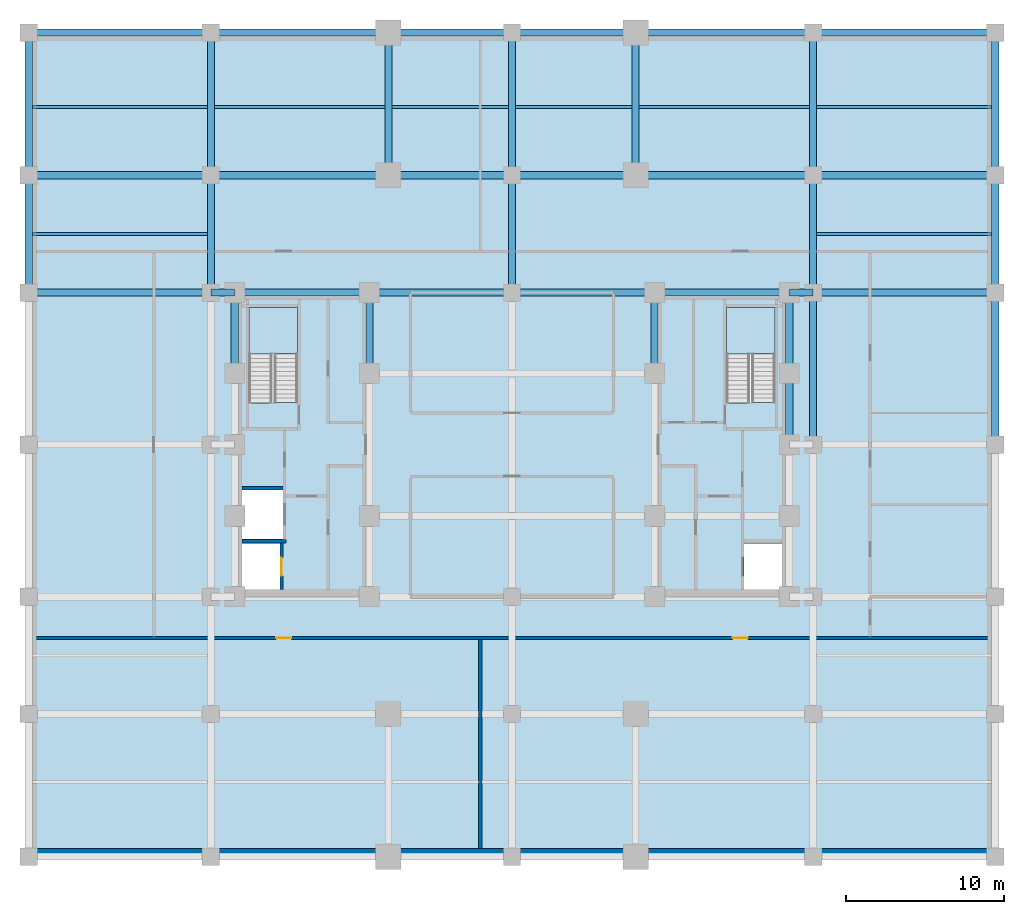
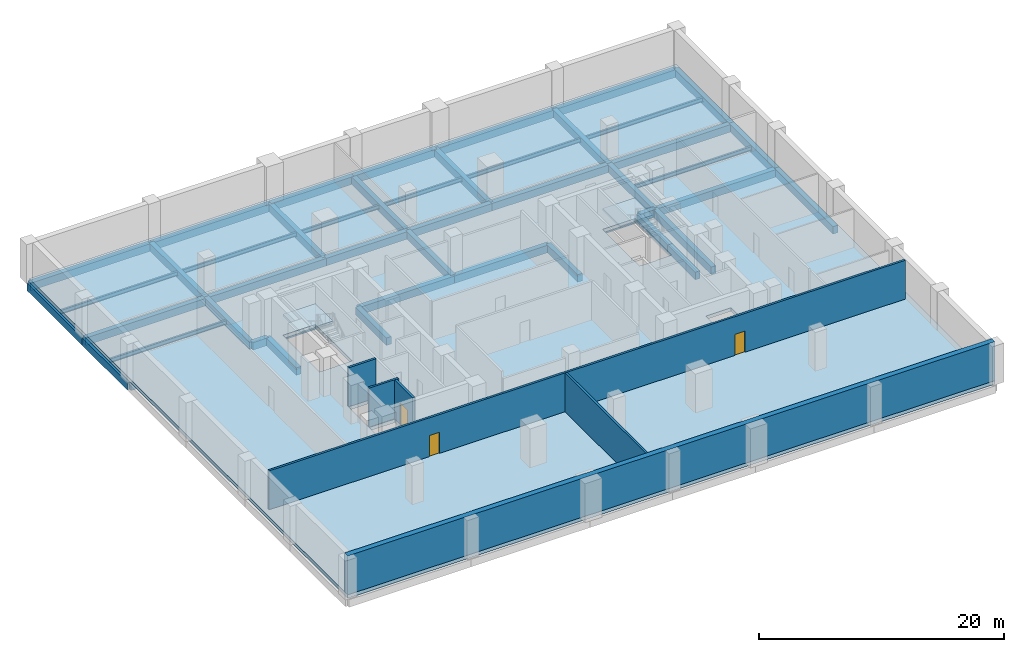
# One storey, part 2 of 6: 47 beams, 6 walls, 3 doors, 3 slabs, 3 openings, 2 elements without a shape of their own.
"""IFC4 building model written with IfcOpenShell, lengths in metres."""

from ifc_helpers import new_model, si_unit, direction, frame, frame_2d, origin, origin_2d, place, context, subcontext, project, spatial, polyline, rectangle, i_section, outline, extrude, source, transform, mapped, material, layer, layer_set, material_profile, profile_set, type_object, type_shapes, element, fill, aggregate, save


model = new_model("IFC4")

# Units and contexts
model_context = context("Model", 3, precision=1e-05, world=origin(), true_north=direction((0.0, 1.0)))
body_context = subcontext(model_context, "Body", "Model", "MODEL_VIEW")
ifc_project = project(units=[si_unit("LENGTHUNIT", "METRE"), si_unit("AREAUNIT", "SQUARE_METRE"), si_unit("VOLUMEUNIT", "CUBIC_METRE"), si_unit("PLANEANGLEUNIT", "RADIAN"), si_unit("MASSUNIT", "GRAM", prefix="KILO")], contexts=[model_context])

# Site, building, storey
site_placement = place(None, origin())
site = spatial("IfcSite", under=ifc_project, at=site_placement, CompositionType="ELEMENT")
building_placement = place(site_placement, origin())
building = spatial("IfcBuilding", under=site, at=building_placement, Name="Nuvemarco Arch Tower", CompositionType="ELEMENT")
storey_placement = place(building_placement, frame((0.0, 0.0, -4.199951171875)))
storey = spatial("IfcBuildingStorey", under=building, at=storey_placement, Name="B01", CompositionType="ELEMENT", Elevation=-4.199951171875)

# Beams
ifc_material_1 = material(Name="Concrete C50/60", Category="concrete")
ifc_material_profile_1 = material_profile(ifc_material_1, rectangle(XDim=0.449951171875, YDim=0.75, at=origin_2d()), Name="RC-BM-450x750")
ifc_profile_set_1 = profile_set([ifc_material_profile_1], Name="Concrete C50/60")
beam_type_1 = type_object("IfcBeamType", Name="BM-BASE-RC", PredefinedType="BEAM", material=ifc_profile_set_1)
beam_1_placement = place(storey_placement, frame((-30.5, 9.60009765625, -0.72509765625), z_axis=(0.0, 1.0, 0.0), x_axis=(-1.0, 0.0, 0.0)))
element("IfcBeam", 1, at=beam_1_placement, inside=storey, type_object=beam_type_1, Name="B01 structural beam BGNS_B01_0_-30.5_+9.6", PredefinedType="BEAM", context=body_context, shape_type="SweptSolid", body=[
    extrude(rectangle(XDim=0.449951171875, YDim=0.75, at=origin_2d()), origin(), (0.0, 0.0, 1.0), 7.39990234375),
])
beam_2_placement = place(storey_placement, frame((-30.5, 17.0, -0.72509765625), z_axis=(0.0, 1.0, 0.0), x_axis=(-1.0, 0.0, 0.0)))
element("IfcBeam", 2, at=beam_2_placement, inside=storey, type_object=beam_type_1, Name="B01 structural beam BGNS_B01_0_-30.5_+17.0", PredefinedType="BEAM", context=body_context, shape_type="SweptSolid", body=[
    extrude(rectangle(XDim=0.449951171875, YDim=0.75, at=origin_2d()), origin(), (0.0, 0.0, 1.0), 9.0),
])
beam_3_placement = place(storey_placement, frame((-19.0, 9.60009765625, -0.72509765625), z_axis=(0.0, 1.0, 0.0), x_axis=(-1.0, 0.0, 0.0)))
element("IfcBeam", 3, at=beam_3_placement, inside=storey, type_object=beam_type_1, Name="B01 structural beam BGNS_B01_0_-19.0_+9.6", PredefinedType="BEAM", context=body_context, shape_type="SweptSolid", body=[
    extrude(rectangle(XDim=0.449951171875, YDim=0.75, at=origin_2d()), origin(), (0.0, 0.0, 1.0), 7.39990234375),
])
beam_4_placement = place(storey_placement, frame((-19.0, 17.0, -0.72509765625), z_axis=(0.0, 1.0, 0.0), x_axis=(-1.0, 0.0, 0.0)))
element("IfcBeam", 4, at=beam_4_placement, inside=storey, type_object=beam_type_1, Name="B01 structural beam BGNS_B01_0_-19.0_+17.0", PredefinedType="BEAM", context=body_context, shape_type="SweptSolid", body=[
    extrude(rectangle(XDim=0.449951171875, YDim=0.75, at=origin_2d()), origin(), (0.0, 0.0, 1.0), 9.0),
])
for number, where, z_axis, x_axis, name in (
    (5, (-17.5, 4.5, -0.72509765625), (0.0, 1.0, 0.0), (-1.0, 0.0, 0.0), "B01 structural beam BGNS_B01_0_-17.5_+4.5"),
    (6, (-9.0, 4.5, -0.72509765625), (0.0, 1.0, 0.0), (-1.0, 0.0, 0.0), "B01 structural beam BGNS_B01_0_-9.0_+4.5"),
):
    element("IfcBeam", number, at=place(storey_placement, frame(where, z_axis=z_axis, x_axis=x_axis)), inside=storey, type_object=beam_type_1, Name=name, PredefinedType="BEAM", context=body_context, shape_type="SweptSolid", body=[
        extrude(rectangle(XDim=0.449951171875, YDim=0.75, at=origin_2d()), origin(), (0.0, 0.0, 1.0), 5.10009765625),
    ])
beam_5_placement = place(storey_placement, frame((-7.800048828125, 17.0, -0.72509765625), z_axis=(0.0, 1.0, 0.0), x_axis=(-1.0, 0.0, 0.0)))
element("IfcBeam", 7, at=beam_5_placement, inside=storey, type_object=beam_type_1, Name="B01 structural beam BGNS_B01_0_-7.8_+17.0", PredefinedType="BEAM", context=body_context, shape_type="SweptSolid", body=[
    extrude(rectangle(XDim=0.449951171875, YDim=0.75, at=origin_2d()), origin(), (0.0, 0.0, 1.0), 9.0),
])
beam_6_placement = place(storey_placement, frame((0.0, 9.60009765625, -0.72509765625), z_axis=(0.0, 1.0, 0.0), x_axis=(-1.0, 0.0, 0.0)))
element("IfcBeam", 8, at=beam_6_placement, inside=storey, type_object=beam_type_1, Name="B01 structural beam BGNS_B01_0_+0.0_+9.6", PredefinedType="BEAM", context=body_context, shape_type="SweptSolid", body=[
    extrude(rectangle(XDim=0.449951171875, YDim=0.75, at=origin_2d()), origin(), (0.0, 0.0, 1.0), 7.39990234375),
])
for number, where, z_axis, x_axis, name in (
    (9, (0.0, 17.0, -0.72509765625), (0.0, 1.0, 0.0), (-1.0, 0.0, 0.0), "B01 structural beam BGNS_B01_0_+0.0_+17.0"),
    (10, (7.800048828125, 17.0, -0.72509765625), (0.0, 1.0, 0.0), (-1.0, 0.0, 0.0), "B01 structural beam BGNS_B01_0_+7.8_+17.0"),
):
    element("IfcBeam", number, at=place(storey_placement, frame(where, z_axis=z_axis, x_axis=x_axis)), inside=storey, type_object=beam_type_1, Name=name, PredefinedType="BEAM", context=body_context, shape_type="SweptSolid", body=[
        extrude(rectangle(XDim=0.449951171875, YDim=0.75, at=origin_2d()), origin(), (0.0, 0.0, 1.0), 9.0),
    ])
beam_7_placement = place(storey_placement, frame((9.0, 4.5, -0.72509765625), z_axis=(0.0, 1.0, 0.0), x_axis=(-1.0, 0.0, 0.0)))
element("IfcBeam", 11, at=beam_7_placement, inside=storey, type_object=beam_type_1, Name="B01 structural beam BGNS_B01_0_+9.0_+4.5", PredefinedType="BEAM", context=body_context, shape_type="SweptSolid", body=[
    extrude(rectangle(XDim=0.449951171875, YDim=0.75, at=origin_2d()), origin(), (0.0, 0.0, 1.0), 5.10009765625),
])
beam_8_placement = place(storey_placement, frame((17.5, 0.0, -0.72509765625), z_axis=(0.0, 1.0, 0.0), x_axis=(-1.0, 0.0, 0.0)))
element("IfcBeam", 12, at=beam_8_placement, inside=storey, type_object=beam_type_1, Name="B01 structural beam BGNS_B01_0_+17.5_+0.0", PredefinedType="BEAM", context=body_context, shape_type="SweptSolid", body=[
    extrude(rectangle(XDim=0.449951171875, YDim=0.75, at=origin_2d()), origin(), (0.0, 0.0, 1.0), 4.5),
])
beam_9_placement = place(storey_placement, frame((17.5, 4.5, -0.72509765625), z_axis=(0.0, 1.0, 0.0), x_axis=(-1.0, 0.0, 0.0)))
element("IfcBeam", 13, at=beam_9_placement, inside=storey, type_object=beam_type_1, Name="B01 structural beam BGNS_B01_0_+17.5_+4.5", PredefinedType="BEAM", context=body_context, shape_type="SweptSolid", body=[
    extrude(rectangle(XDim=0.449951171875, YDim=0.75, at=origin_2d()), origin(), (0.0, 0.0, 1.0), 5.10009765625),
])
beam_10_placement = place(storey_placement, frame((19.0, 0.0, -0.72509765625), z_axis=(0.0, 1.0, 0.0), x_axis=(-1.0, 0.0, 0.0)))
element("IfcBeam", 14, at=beam_10_placement, inside=storey, type_object=beam_type_1, Name="B01 structural beam BGNS_B01_0_+19.0_+0.0", PredefinedType="BEAM", context=body_context, shape_type="SweptSolid", body=[
    extrude(rectangle(XDim=0.449951171875, YDim=0.75, at=origin_2d()), origin(), (0.0, 0.0, 1.0), 9.60009765625),
])
beam_11_placement = place(storey_placement, frame((19.0, 9.60009765625, -0.72509765625), z_axis=(0.0, 1.0, 0.0), x_axis=(-1.0, 0.0, 0.0)))
element("IfcBeam", 15, at=beam_11_placement, inside=storey, type_object=beam_type_1, Name="B01 structural beam BGNS_B01_0_+19.0_+9.6", PredefinedType="BEAM", context=body_context, shape_type="SweptSolid", body=[
    extrude(rectangle(XDim=0.449951171875, YDim=0.75, at=origin_2d()), origin(), (0.0, 0.0, 1.0), 7.39990234375),
])
beam_12_placement = place(storey_placement, frame((19.0, 17.0, -0.72509765625), z_axis=(0.0, 1.0, 0.0), x_axis=(-1.0, 0.0, 0.0)))
element("IfcBeam", 16, at=beam_12_placement, inside=storey, type_object=beam_type_1, Name="B01 structural beam BGNS_B01_0_+19.0_+17.0", PredefinedType="BEAM", context=body_context, shape_type="SweptSolid", body=[
    extrude(rectangle(XDim=0.449951171875, YDim=0.75, at=origin_2d()), origin(), (0.0, 0.0, 1.0), 9.0),
])
beam_13_placement = place(storey_placement, frame((30.5, 0.0, -0.72509765625), z_axis=(0.0, 1.0, 0.0), x_axis=(-1.0, 0.0, 0.0)))
element("IfcBeam", 17, at=beam_13_placement, inside=storey, type_object=beam_type_1, Name="B01 structural beam BGNS_B01_0_+30.5_+0.0", PredefinedType="BEAM", context=body_context, shape_type="SweptSolid", body=[
    extrude(rectangle(XDim=0.449951171875, YDim=0.75, at=origin_2d()), origin(), (0.0, 0.0, 1.0), 9.60009765625),
])
beam_14_placement = place(storey_placement, frame((30.5, 9.60009765625, -0.72509765625), z_axis=(0.0, 1.0, 0.0), x_axis=(-1.0, 0.0, 0.0)))
element("IfcBeam", 18, at=beam_14_placement, inside=storey, type_object=beam_type_1, Name="B01 structural beam BGNS_B01_0_+30.5_+9.6", PredefinedType="BEAM", context=body_context, shape_type="SweptSolid", body=[
    extrude(rectangle(XDim=0.449951171875, YDim=0.75, at=origin_2d()), origin(), (0.0, 0.0, 1.0), 7.39990234375),
])
beam_15_placement = place(storey_placement, frame((30.5, 17.0, -0.72509765625), z_axis=(0.0, 1.0, 0.0), x_axis=(-1.0, 0.0, 0.0)))
element("IfcBeam", 19, at=beam_15_placement, inside=storey, type_object=beam_type_1, Name="B01 structural beam BGNS_B01_0_+30.5_+17.0", PredefinedType="BEAM", context=body_context, shape_type="SweptSolid", body=[
    extrude(rectangle(XDim=0.449951171875, YDim=0.75, at=origin_2d()), origin(), (0.0, 0.0, 1.0), 9.0),
])
beam_16_placement = place(storey_placement, frame((-30.5, 9.60009765625, -0.72509765625), z_axis=(1.0, 0.0, 0.0), x_axis=(0.0, 1.0, 0.0)))
element("IfcBeam", 20, at=beam_16_placement, inside=storey, type_object=beam_type_1, Name="B01 structural beam BGEW_B01_0_+9.6_-30.5", PredefinedType="BEAM", context=body_context, shape_type="SweptSolid", body=[
    extrude(rectangle(XDim=0.449951171875, YDim=0.75, at=origin_2d()), origin(), (0.0, 0.0, 1.0), 11.5),
])
beam_17_placement = place(storey_placement, frame((-19.0, 9.60009765625, -0.72509765625), z_axis=(1.0, 0.0, 0.0), x_axis=(0.0, 1.0, 0.0)))
element("IfcBeam", 21, at=beam_17_placement, inside=storey, type_object=beam_type_1, Name="B01 structural beam BGEW_B01_0_+9.6_-19.0", PredefinedType="BEAM", context=body_context, shape_type="SweptSolid", body=[
    extrude(rectangle(XDim=0.449951171875, YDim=0.75, at=origin_2d()), origin(), (0.0, 0.0, 1.0), 1.5),
])
beam_18_placement = place(storey_placement, frame((-17.5, 9.60009765625, -0.72509765625), z_axis=(1.0, 0.0, 0.0), x_axis=(0.0, 1.0, 0.0)))
element("IfcBeam", 22, at=beam_18_placement, inside=storey, type_object=beam_type_1, Name="B01 structural beam BGEW_B01_0_+9.6_-17.5", PredefinedType="BEAM", context=body_context, shape_type="SweptSolid", body=[
    extrude(rectangle(XDim=0.449951171875, YDim=0.75, at=origin_2d()), origin(), (0.0, 0.0, 1.0), 8.5),
])
for number, where, z_axis, x_axis, name in (
    (23, (-9.0, 9.60009765625, -0.72509765625), (1.0, 0.0, 0.0), (0.0, 1.0, 0.0), "B01 structural beam BGEW_B01_0_+9.6_-9.0"),
    (24, (0.0, 9.60009765625, -0.72509765625), (1.0, 0.0, 0.0), (0.0, 1.0, 0.0), "B01 structural beam BGEW_B01_0_+9.6_+0.0"),
):
    element("IfcBeam", number, at=place(storey_placement, frame(where, z_axis=z_axis, x_axis=x_axis)), inside=storey, type_object=beam_type_1, Name=name, PredefinedType="BEAM", context=body_context, shape_type="SweptSolid", body=[
        extrude(rectangle(XDim=0.449951171875, YDim=0.75, at=origin_2d()), origin(), (0.0, 0.0, 1.0), 9.0),
    ])
beam_19_placement = place(storey_placement, frame((9.0, 9.60009765625, -0.72509765625), z_axis=(1.0, 0.0, 0.0), x_axis=(0.0, 1.0, 0.0)))
element("IfcBeam", 25, at=beam_19_placement, inside=storey, type_object=beam_type_1, Name="B01 structural beam BGEW_B01_0_+9.6_+9.0", PredefinedType="BEAM", context=body_context, shape_type="SweptSolid", body=[
    extrude(rectangle(XDim=0.449951171875, YDim=0.75, at=origin_2d()), origin(), (0.0, 0.0, 1.0), 8.5),
])
beam_20_placement = place(storey_placement, frame((17.5, 9.60009765625, -0.72509765625), z_axis=(1.0, 0.0, 0.0), x_axis=(0.0, 1.0, 0.0)))
element("IfcBeam", 26, at=beam_20_placement, inside=storey, type_object=beam_type_1, Name="B01 structural beam BGEW_B01_0_+9.6_+17.5", PredefinedType="BEAM", context=body_context, shape_type="SweptSolid", body=[
    extrude(rectangle(XDim=0.449951171875, YDim=0.75, at=origin_2d()), origin(), (0.0, 0.0, 1.0), 1.5),
])
for number, where, z_axis, x_axis, name in (
    (27, (19.0, 9.60009765625, -0.72509765625), (1.0, 0.0, 0.0), (0.0, 1.0, 0.0), "B01 structural beam BGEW_B01_0_+9.6_+19.0"),
    (28, (-30.5, 17.0, -0.72509765625), (1.0, 0.0, 0.0), (0.0, 1.0, 0.0), "B01 structural beam BGEW_B01_0_+17.0_-30.5"),
):
    element("IfcBeam", number, at=place(storey_placement, frame(where, z_axis=z_axis, x_axis=x_axis)), inside=storey, type_object=beam_type_1, Name=name, PredefinedType="BEAM", context=body_context, shape_type="SweptSolid", body=[
        extrude(rectangle(XDim=0.449951171875, YDim=0.75, at=origin_2d()), origin(), (0.0, 0.0, 1.0), 11.5),
    ])
beam_21_placement = place(storey_placement, frame((-19.0, 17.0, -0.72509765625), z_axis=(1.0, 0.0, 0.0), x_axis=(0.0, 1.0, 0.0)))
element("IfcBeam", 29, at=beam_21_placement, inside=storey, type_object=beam_type_1, Name="B01 structural beam BGEW_B01_0_+17.0_-19.0", PredefinedType="BEAM", context=body_context, shape_type="SweptSolid", body=[
    extrude(rectangle(XDim=0.449951171875, YDim=0.75, at=origin_2d()), origin(), (0.0, 0.0, 1.0), 11.199951171875),
])
for number, where, z_axis, x_axis, name in (
    (30, (-7.800048828125, 17.0, -0.72509765625), (1.0, 0.0, 0.0), (0.0, 1.0, 0.0), "B01 structural beam BGEW_B01_0_+17.0_-7.8"),
    (31, (0.0, 17.0, -0.72509765625), (1.0, 0.0, 0.0), (0.0, 1.0, 0.0), "B01 structural beam BGEW_B01_0_+17.0_+0.0"),
):
    element("IfcBeam", number, at=place(storey_placement, frame(where, z_axis=z_axis, x_axis=x_axis)), inside=storey, type_object=beam_type_1, Name=name, PredefinedType="BEAM", context=body_context, shape_type="SweptSolid", body=[
        extrude(rectangle(XDim=0.449951171875, YDim=0.75, at=origin_2d()), origin(), (0.0, 0.0, 1.0), 7.800048828125),
    ])
beam_22_placement = place(storey_placement, frame((7.800048828125, 17.0, -0.72509765625), z_axis=(1.0, 0.0, 0.0), x_axis=(0.0, 1.0, 0.0)))
element("IfcBeam", 32, at=beam_22_placement, inside=storey, type_object=beam_type_1, Name="B01 structural beam BGEW_B01_0_+17.0_+7.8", PredefinedType="BEAM", context=body_context, shape_type="SweptSolid", body=[
    extrude(rectangle(XDim=0.449951171875, YDim=0.75, at=origin_2d()), origin(), (0.0, 0.0, 1.0), 11.199951171875),
])
for number, where, z_axis, x_axis, name in (
    (33, (19.0, 17.0, -0.72509765625), (1.0, 0.0, 0.0), (0.0, 1.0, 0.0), "B01 structural beam BGEW_B01_0_+17.0_+19.0"),
    (34, (-30.5, 26.0, -0.72509765625), (1.0, 0.0, 0.0), (0.0, 1.0, 0.0), "B01 structural beam BGEW_B01_0_+26.0_-30.5"),
):
    element("IfcBeam", number, at=place(storey_placement, frame(where, z_axis=z_axis, x_axis=x_axis)), inside=storey, type_object=beam_type_1, Name=name, PredefinedType="BEAM", context=body_context, shape_type="SweptSolid", body=[
        extrude(rectangle(XDim=0.449951171875, YDim=0.75, at=origin_2d()), origin(), (0.0, 0.0, 1.0), 11.5),
    ])
beam_23_placement = place(storey_placement, frame((-19.0, 26.0, -0.72509765625), z_axis=(1.0, 0.0, 0.0), x_axis=(0.0, 1.0, 0.0)))
element("IfcBeam", 35, at=beam_23_placement, inside=storey, type_object=beam_type_1, Name="B01 structural beam BGEW_B01_0_+26.0_-19.0", PredefinedType="BEAM", context=body_context, shape_type="SweptSolid", body=[
    extrude(rectangle(XDim=0.449951171875, YDim=0.75, at=origin_2d()), origin(), (0.0, 0.0, 1.0), 11.199951171875),
])
for number, where, z_axis, x_axis, name in (
    (36, (-7.800048828125, 26.0, -0.72509765625), (1.0, 0.0, 0.0), (0.0, 1.0, 0.0), "B01 structural beam BGEW_B01_0_+26.0_-7.8"),
    (37, (0.0, 26.0, -0.72509765625), (1.0, 0.0, 0.0), (0.0, 1.0, 0.0), "B01 structural beam BGEW_B01_0_+26.0_+0.0"),
):
    element("IfcBeam", number, at=place(storey_placement, frame(where, z_axis=z_axis, x_axis=x_axis)), inside=storey, type_object=beam_type_1, Name=name, PredefinedType="BEAM", context=body_context, shape_type="SweptSolid", body=[
        extrude(rectangle(XDim=0.449951171875, YDim=0.75, at=origin_2d()), origin(), (0.0, 0.0, 1.0), 7.800048828125),
    ])
beam_24_placement = place(storey_placement, frame((7.800048828125, 26.0, -0.72509765625), z_axis=(1.0, 0.0, 0.0), x_axis=(0.0, 1.0, 0.0)))
element("IfcBeam", 38, at=beam_24_placement, inside=storey, type_object=beam_type_1, Name="B01 structural beam BGEW_B01_0_+26.0_+7.8", PredefinedType="BEAM", context=body_context, shape_type="SweptSolid", body=[
    extrude(rectangle(XDim=0.449951171875, YDim=0.75, at=origin_2d()), origin(), (0.0, 0.0, 1.0), 11.199951171875),
])
beam_25_placement = place(storey_placement, frame((19.0, 26.0, -0.72509765625), z_axis=(1.0, 0.0, 0.0), x_axis=(0.0, 1.0, 0.0)))
element("IfcBeam", 39, at=beam_25_placement, inside=storey, type_object=beam_type_1, Name="B01 structural beam BGEW_B01_0_+26.0_+19.0", PredefinedType="BEAM", context=body_context, shape_type="SweptSolid", body=[
    extrude(rectangle(XDim=0.449951171875, YDim=0.75, at=origin_2d()), origin(), (0.0, 0.0, 1.0), 11.5),
])
ifc_material_2 = material(Name="Steel S355", Category="steel")
ifc_material_profile_2 = material_profile(ifc_material_2, i_section(OverallWidth=0.179931640625, OverallDepth=0.4130859375, WebThickness=0.009765625, FlangeThickness=0.01611328125, FilletRadius=0.014892578125, at=origin_2d()), Name="W410x75")
ifc_profile_set_2 = profile_set([ifc_material_profile_2], Name="Steel S355")
beam_type_2 = type_object("IfcBeamType", Name="BM-JOIST-410", PredefinedType="JOIST", material=ifc_profile_set_2)
for number, where, z_axis, x_axis, name in (
    (40, (-30.27490234375, 13.300048828125, -0.556640625), (1.0, 0.0, 0.0), (0.0, 1.0, 0.0), "B01 structural beam BJ_B01_0_+13.3_-30.5"),
    (41, (19.22509765625, 13.300048828125, -0.556640625), (1.0, 0.0, 0.0), (0.0, 1.0, 0.0), "B01 structural beam BJ_B01_0_+13.3_+19.0"),
    (42, (-30.27490234375, 21.300048828125, -0.556640625), (1.0, 0.0, 0.0), (0.0, 1.0, 0.0), "B01 structural beam BJ_B01_0_+21.3_-30.5"),
):
    element("IfcBeam", number, at=place(storey_placement, frame(where, z_axis=z_axis, x_axis=x_axis)), inside=storey, type_object=beam_type_2, Name=name, PredefinedType="JOIST", context=body_context, shape_type="SweptSolid", body=[
        extrude(i_section(OverallWidth=0.179931640625, OverallDepth=0.4130859375, WebThickness=0.009765625, FlangeThickness=0.01611328125, FilletRadius=0.014892578125, at=origin_2d()), origin(), (0.0, 0.0, 1.0), 11.0498046875),
    ])
beam_26_placement = place(storey_placement, frame((-18.77490234375, 21.300048828125, -0.556640625), z_axis=(1.0, 0.0, 0.0), x_axis=(0.0, 1.0, 0.0)))
element("IfcBeam", 43, at=beam_26_placement, inside=storey, type_object=beam_type_2, Name="B01 structural beam BJ_B01_0_+21.3_-19.0", PredefinedType="JOIST", context=body_context, shape_type="SweptSolid", body=[
    extrude(i_section(OverallWidth=0.179931640625, OverallDepth=0.4130859375, WebThickness=0.009765625, FlangeThickness=0.01611328125, FilletRadius=0.014892578125, at=origin_2d()), origin(), (0.0, 0.0, 1.0), 10.75),
])
for number, where, z_axis, x_axis, name in (
    (44, (-7.574951171875, 21.300048828125, -0.556640625), (1.0, 0.0, 0.0), (0.0, 1.0, 0.0), "B01 structural beam BJ_B01_0_+21.3_-7.8"),
    (45, (0.22509765625, 21.300048828125, -0.556640625), (1.0, 0.0, 0.0), (0.0, 1.0, 0.0), "B01 structural beam BJ_B01_0_+21.3_+0.0"),
):
    element("IfcBeam", number, at=place(storey_placement, frame(where, z_axis=z_axis, x_axis=x_axis)), inside=storey, type_object=beam_type_2, Name=name, PredefinedType="JOIST", context=body_context, shape_type="SweptSolid", body=[
        extrude(i_section(OverallWidth=0.179931640625, OverallDepth=0.4130859375, WebThickness=0.009765625, FlangeThickness=0.01611328125, FilletRadius=0.014892578125, at=origin_2d()), origin(), (0.0, 0.0, 1.0), 7.349853515625),
    ])
beam_27_placement = place(storey_placement, frame((8.02490234375, 21.300048828125, -0.556640625), z_axis=(1.0, 0.0, 0.0), x_axis=(0.0, 1.0, 0.0)))
element("IfcBeam", 46, at=beam_27_placement, inside=storey, type_object=beam_type_2, Name="B01 structural beam BJ_B01_0_+21.3_+7.8", PredefinedType="JOIST", context=body_context, shape_type="SweptSolid", body=[
    extrude(i_section(OverallWidth=0.179931640625, OverallDepth=0.4130859375, WebThickness=0.009765625, FlangeThickness=0.01611328125, FilletRadius=0.014892578125, at=origin_2d()), origin(), (0.0, 0.0, 1.0), 10.75),
])
beam_28_placement = place(storey_placement, frame((19.22509765625, 21.300048828125, -0.556640625), z_axis=(1.0, 0.0, 0.0), x_axis=(0.0, 1.0, 0.0)))
element("IfcBeam", 47, at=beam_28_placement, inside=storey, type_object=beam_type_2, Name="B01 structural beam BJ_B01_0_+21.3_+19.0", PredefinedType="JOIST", context=body_context, shape_type="SweptSolid", body=[
    extrude(i_section(OverallWidth=0.179931640625, OverallDepth=0.4130859375, WebThickness=0.009765625, FlangeThickness=0.01611328125, FilletRadius=0.014892578125, at=origin_2d()), origin(), (0.0, 0.0, 1.0), 11.0498046875),
])

# Slab
ifc_layer_1 = layer(ifc_material_1, 0.35009765625, Name="SL-FLR-350")
ifc_layer_set_1 = layer_set([ifc_layer_1], Name="Concrete C50/60")
slab_type_1 = type_object("IfcSlabType", Name="SL-FLR-350", PredefinedType="FLOOR", material=ifc_layer_set_1)
slab_1_placement = place(storey_placement, frame((0.0, 0.0, -0.35009765625)))
element("IfcSlab", 48, at=slab_1_placement, inside=storey, type_object=slab_type_1, Name="B01 structural floor slab", PredefinedType="FLOOR", context=body_context, shape_type="SweptSolid", body=[
    extrude(outline(polyline([(-30.5, -26.0), (30.5, -26.0), (30.5, 26.0), (-30.5, 26.0), (-30.5, -26.0)]), holes=[polyline([(-13.5400390625, 2.669921875), (-13.5400390625, 8.64990234375), (-16.60009765625, 8.64990234375), (-16.60009765625, 2.630615234375), (-15.070068359375, 2.630615234375), (-15.070068359375, 2.669921875), (-13.5400390625, 2.669921875)]), polyline([(16.60009765625, 2.669921875), (16.60009765625, 8.64990234375), (13.5400390625, 8.64990234375), (13.5400390625, 2.630615234375), (15.070068359375, 2.630615234375), (15.070068359375, 2.669921875), (16.60009765625, 2.669921875)]), polyline([(-17.050048828125, -9.14990234375), (-14.64990234375, -9.14990234375), (-14.64990234375, -6.25), (-17.050048828125, -6.25), (-17.050048828125, -9.14990234375)]), polyline([(-17.050048828125, -5.949951171875), (-14.449951171875, -5.949951171875), (-14.449951171875, -2.85009765625), (-17.050048828125, -2.85009765625), (-17.050048828125, -5.949951171875)]), polyline([(14.64990234375, -9.14990234375), (17.050048828125, -9.14990234375), (17.050048828125, -6.25), (14.64990234375, -6.25), (14.64990234375, -9.14990234375)])]), origin(), (0.0, 0.0, 1.0), 0.35009765625),
])

# Stair, slab
ifc_material_3 = material(Name="Precast concrete C45/55", Category="concrete")
stair_type = type_object("IfcStairType", Name="ST-CORE-24R", PredefinedType="HALF_TURN_STAIR", material=ifc_material_3)
stair_1_placement = place(storey_placement, origin())
stair_1 = element("IfcStair", 49, at=stair_1_placement, inside=storey, type_object=stair_type, Name="B01 Protected Exit Stair ST-1", PredefinedType="HALF_TURN_STAIR")
ifc_layer_2 = layer(ifc_material_3, 0.199951171875, Name="SL-LANDING-200")
ifc_layer_set_2 = layer_set([ifc_layer_2], Name="Precast concrete C45/55")
slab_type_2 = type_object("IfcSlabType", Name="SL-LANDING-200", PredefinedType="LANDING", material=ifc_layer_set_2)
slab_2_placement = place(storey_placement, frame((0.0, 0.0, 1.89990234375)))
slab_2 = element("IfcSlab", 50, at=slab_2_placement, type_object=slab_type_2, Name="ST-24R landing 1", PredefinedType="LANDING", context=body_context, shape_type="SweptSolid", body=[
    extrude(outline(polyline([(-13.5400390625, 5.74951171875), (-13.5400390625, 8.64990234375), (-16.60009765625, 8.64990234375), (-16.60009765625, 5.72998046875), (-15.070068359375, 5.72998046875), (-15.070068359375, 5.74951171875), (-13.5400390625, 5.74951171875)])), origin(), (0.0, 0.0, 1.0), 0.199951171875),
])
aggregate(stair_1, [slab_2])

stair_2_placement = place(storey_placement, origin())
stair_2 = element("IfcStair", 51, at=stair_2_placement, inside=storey, type_object=stair_type, Name="B01 Protected Exit Stair ST-2", PredefinedType="HALF_TURN_STAIR")
slab_3_placement = place(storey_placement, frame((0.0, 0.0, 1.89990234375)))
slab_3 = element("IfcSlab", 52, at=slab_3_placement, type_object=slab_type_2, Name="ST-24R landing 1", PredefinedType="LANDING", context=body_context, shape_type="SweptSolid", body=[
    extrude(outline(polyline([(16.60009765625, 5.74951171875), (16.60009765625, 8.64990234375), (13.5400390625, 8.64990234375), (13.5400390625, 5.72998046875), (15.070068359375, 5.72998046875), (15.070068359375, 5.74951171875), (16.60009765625, 5.74951171875)])), origin(), (0.0, 0.0, 1.0), 0.199951171875),
])
aggregate(stair_2, [slab_3])

# Wall, openings, doors
ifc_layer_3 = layer(ifc_material_3, 0.199951171875, Name="WL-PLANT-200")
ifc_layer_set_3 = layer_set([ifc_layer_3], Name="Precast concrete C45/55")
wall_type_1 = type_object("IfcWallType", Name="WL-PLANT-200", PredefinedType="STANDARD", material=ifc_layer_set_3)
wall_1_placement = place(storey_placement, frame((-30.0, -12.199951171875, 0.0), z_axis=(0.0, 0.0, 1.0), x_axis=(1.0, 0.0, 0.0)))
wall_1 = element("IfcWall", 53, at=wall_1_placement, inside=storey, type_object=wall_type_1, Name="B01 interior wall IW-B01-001", PredefinedType="STANDARD", context=body_context, shape_type="SweptSolid", body=[
    extrude(rectangle(XDim=60.0, YDim=0.199951171875, at=frame_2d((30.0, 0.0))), origin(), (0.0, 0.0, 1.0), 3.869873046875),
])
opening_1_placement = place(wall_1_placement, frame((15.1201171875, 0.0, 0.0)))
opening_1 = element("IfcOpeningElement", 54, at=opening_1_placement, cuts=wall_1, Name="Opening FD-5", PredefinedType="OPENING", context=body_context, shape_type="SweptSolid", body=[
    extrude(rectangle(XDim=0.9599609375, YDim=2.10009765625, at=frame_2d((0.47998046875, 1.050048828125))), frame((0.0, 0.10986328125, 0.0), z_axis=(0.0, -1.0, 0.0), x_axis=(1.0, 0.0, 0.0)), (0.0, 0.0, 1.0), 0.219970703125),
])
opening_2_placement = place(wall_1_placement, frame((43.919921875, 0.0, 0.0)))
opening_2 = element("IfcOpeningElement", 55, at=opening_2_placement, cuts=wall_1, Name="Opening FD-5", PredefinedType="OPENING", context=body_context, shape_type="SweptSolid", body=[
    extrude(rectangle(XDim=0.9599609375, YDim=2.10009765625, at=frame_2d((0.47998046875, 1.050048828125))), frame((0.0, 0.10986328125, 0.0), z_axis=(0.0, -1.0, 0.0), x_axis=(1.0, 0.0, 0.0)), (0.0, 0.0, 1.0), 0.219970703125),
])
ifc_material_4 = material(Name="Timber fire door", Category="wood")
door_type_1 = type_object("IfcDoorType", Name="DR-CORR-FD", OperationType="NOTDEFINED", PredefinedType="DOOR", material=ifc_material_4)
shared_shape_1 = source(origin(), body_context, "Body", "SweptSolid", [
    extrude(rectangle(XDim=0.9599609375, YDim=2.10009765625, at=frame_2d((0.47998046875, 1.050048828125))), frame((0.0, 0.02490234375, 0.0), z_axis=(0.0, -1.0, 0.0), x_axis=(1.0, 0.0, 0.0)), (0.0, 0.0, 1.0), 0.050048828125),
])
type_shapes(door_type_1, [shared_shape_1])
door_1_placement = place(opening_1_placement, origin())
door_1 = element("IfcDoor", 56, at=door_1_placement, inside=storey, type_object=door_type_1, Name="B01 door DR-B01-B01_SUB", OperationType="SINGLE_SWING_RIGHT", OverallHeight=2.10009765625, OverallWidth=0.9599609375, PredefinedType="DOOR", context=body_context, shape_type="MappedRepresentation", body=[
    mapped(shared_shape_1, transform((0.0, 0.0, 0.0), scale=1.0)),
])
fill(opening_1, door_1)
door_2_placement = place(opening_2_placement, origin())
door_2 = element("IfcDoor", 57, at=door_2_placement, inside=storey, type_object=door_type_1, Name="B01 door DR-B01-B01_GEN", OperationType="SINGLE_SWING_LEFT", OverallHeight=2.10009765625, OverallWidth=0.9599609375, PredefinedType="DOOR", context=body_context, shape_type="MappedRepresentation", body=[
    mapped(shared_shape_1, transform((0.0, 0.0, 0.0), scale=1.0)),
])
fill(opening_2, door_2)

# Walls
wall_2_placement = place(storey_placement, frame((-2.0, -25.5, 0.0), z_axis=(0.0, 0.0, 1.0), x_axis=(0.0, 1.0, 0.0)))
element("IfcWall", 58, at=wall_2_placement, inside=storey, type_object=wall_type_1, Name="B01 interior wall IW-B01-015", PredefinedType="STANDARD", context=body_context, shape_type="SweptSolid", body=[
    extrude(rectangle(XDim=13.2041015625, YDim=0.199951171875, at=frame_2d((6.60205078125, 0.0))), origin(), (0.0, 0.0, 1.0), 3.869873046875),
])
ifc_layer_4 = layer(ifc_material_1, 0.5, Name="WL-RET-500")
ifc_layer_set_4 = layer_set([ifc_layer_4], Name="Concrete C50/60")
wall_type_2 = type_object("IfcWallType", Name="WL-RET-500", PredefinedType="SOLIDWALL", material=ifc_layer_set_4)
wall_3_placement = place(storey_placement, frame((-30.5, -25.75, 0.0), z_axis=(0.0, 0.0, 1.0), x_axis=(1.0, 0.0, 0.0)))
element("IfcWall", 59, at=wall_3_placement, inside=storey, type_object=wall_type_2, Name="B01 perimeter retaining wall S", PredefinedType="SOLIDWALL", context=body_context, shape_type="SweptSolid", body=[
    extrude(rectangle(XDim=61.0, YDim=0.5, at=frame_2d((30.5, 0.0))), origin(), (0.0, 0.0, 1.0), 3.8798828125),
])

# Wall, opening, door
ifc_layer_5 = layer(ifc_material_1, 0.199951171875, Name="WL-SHAFT-220")
ifc_layer_set_5 = layer_set([ifc_layer_5], Name="Concrete C50/60")
wall_type_3 = type_object("IfcWallType", Name="WL-SHAFT-220", PredefinedType="SHEAR", material=ifc_layer_set_5)
wall_4_placement = place(storey_placement, frame((-14.550048828125, -9.155029296875, 0.0), z_axis=(0.0, 0.0, 1.0), x_axis=(0.0, 1.0, 0.0)))
wall_4 = element("IfcWall", 60, at=wall_4_placement, inside=storey, type_object=wall_type_3, Name="B01 structural shaft wall SW-B01-W-SHE", PredefinedType="SHEAR", context=body_context, shape_type="SweptSolid", body=[
    extrude(rectangle(XDim=2.9599609375, YDim=0.199951171875, at=frame_2d((1.47998046875, 0.0))), origin(), (0.0, 0.0, 1.0), 3.8798828125),
])
opening_3_placement = place(wall_4_placement, frame((0.8798828125, 0.0, 0.0)))
opening_3 = element("IfcOpeningElement", 61, at=opening_3_placement, cuts=wall_4, Name="Opening LD-2", PredefinedType="OPENING", context=body_context, shape_type="SweptSolid", body=[
    extrude(rectangle(XDim=1.14990234375, YDim=2.14990234375, at=frame_2d((0.574951171875, 1.074951171875))), frame((0.0, 0.10986328125, 0.0), z_axis=(0.0, -1.0, 0.0), x_axis=(1.0, 0.0, 0.0)), (0.0, 0.0, 1.0), 0.219970703125),
])
ifc_material_5 = material(Name="Stainless steel lift door", Category="steel")
door_type_2 = type_object("IfcDoorType", Name="DR-LIFT-FIRE", OperationType="DOUBLE_DOOR_SLIDING", PredefinedType="DOOR", material=ifc_material_5)
shared_shape_2 = source(origin(), body_context, "Body", "SweptSolid", [
    extrude(rectangle(XDim=1.14990234375, YDim=2.14990234375, at=frame_2d((0.574951171875, 1.074951171875))), frame((0.0, 0.02490234375, 0.0), z_axis=(0.0, -1.0, 0.0), x_axis=(1.0, 0.0, 0.0)), (0.0, 0.0, 1.0), 0.050048828125),
])
type_shapes(door_type_2, [shared_shape_2])
door_3_placement = place(opening_3_placement, origin())
door_3 = element("IfcDoor", 62, at=door_3_placement, inside=storey, type_object=door_type_2, Name="B01 Lift landing sliding door FFL-1", OperationType="DOUBLE_DOOR_SLIDING", OverallHeight=2.14990234375, OverallWidth=1.14990234375, PredefinedType="DOOR", context=body_context, shape_type="MappedRepresentation", body=[
    mapped(shared_shape_2, transform((0.0, 0.0, 0.0), scale=1.0)),
])
fill(opening_3, door_3)

# Walls
wall_5_placement = place(storey_placement, frame((-17.054931640625, -6.10009765625, 0.0), z_axis=(0.0, 0.0, 1.0), x_axis=(1.0, 0.0, 0.0)))
element("IfcWall", 63, at=wall_5_placement, inside=storey, type_object=wall_type_3, Name="B01 structural shaft wall SW-B01-W-SH1", PredefinedType="SHEAR", context=body_context, shape_type="SweptSolid", body=[
    extrude(rectangle(XDim=2.804931640625, YDim=0.199951171875, at=frame_2d((1.40234375, 0.0))), origin(), (0.0, 0.0, 1.0), 3.8798828125),
])
wall_6_placement = place(storey_placement, frame((-17.054931640625, -2.75, 0.0), z_axis=(0.0, 0.0, 1.0), x_axis=(1.0, 0.0, 0.0)))
element("IfcWall", 64, at=wall_6_placement, inside=storey, type_object=wall_type_3, Name="B01 structural shaft wall SW-B01-W-SH2", PredefinedType="SHEAR", context=body_context, shape_type="SweptSolid", body=[
    extrude(rectangle(XDim=2.60986328125, YDim=0.199951171875, at=frame_2d((1.304931640625, 0.0))), origin(), (0.0, 0.0, 1.0), 3.8798828125),
])

save(model, "model.ifc")
